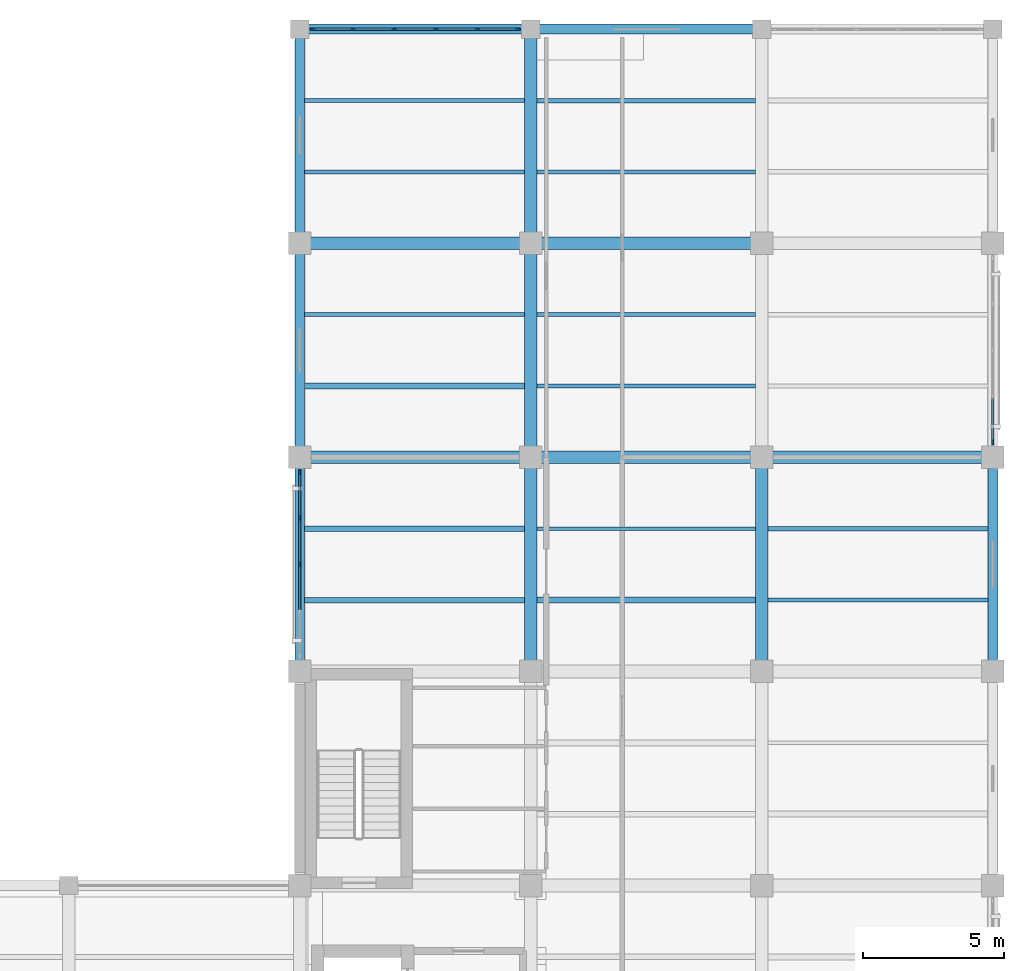
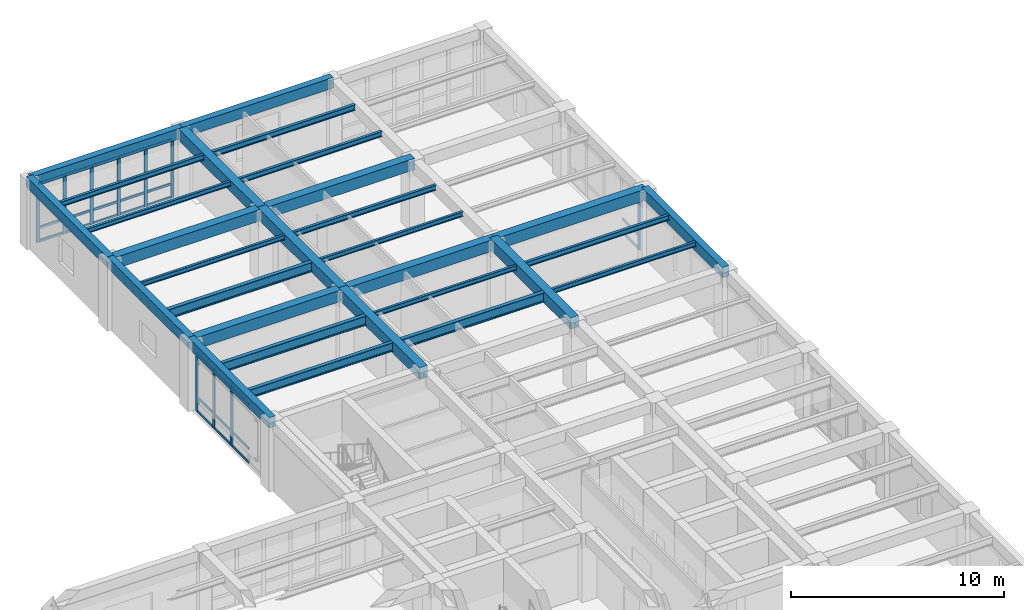
# One storey, part 4 of 13: 36 members, 29 beams, 3 elements without a shape of their own.
"""IFC4 building model written with IfcOpenShell, lengths in metres."""

from ifc_helpers import new_model, si_unit, direction, frame, origin, origin_2d, place, context, subcontext, project, spatial, rectangle, i_section, extrude, material, material_profile, profile_set, type_object, element, aggregate, save


model = new_model("IFC4")

# Units and contexts
model_context = context("Model", 3, precision=1e-05, world=origin(), true_north=direction((0.0, 1.0)))
body_context = subcontext(model_context, "Body", "Model", "MODEL_VIEW")
ifc_project = project(units=[si_unit("LENGTHUNIT", "METRE"), si_unit("AREAUNIT", "SQUARE_METRE"), si_unit("VOLUMEUNIT", "CUBIC_METRE"), si_unit("PLANEANGLEUNIT", "RADIAN"), si_unit("MASSUNIT", "GRAM", prefix="KILO")], contexts=[model_context])

# Site, building, storey
site_placement = place(None, origin())
site = spatial("IfcSite", under=ifc_project, at=site_placement, CompositionType="ELEMENT")
building_placement = place(site_placement, origin())
building = spatial("IfcBuilding", under=site, at=building_placement, Name="Qandaris Square Conservatory and Botanical Centre", CompositionType="ELEMENT")
storey_placement = place(building_placement, frame((0.0, 0.0, 45.0)))
storey = spatial("IfcBuildingStorey", under=building, at=storey_placement, Name="L10", CompositionType="ELEMENT", Elevation=45.0)

# Beams
ifc_material_1 = material(Name="Steel S355", Category="steel")
ifc_material_profile_1 = material_profile(ifc_material_1, i_section(OverallWidth=0.199951171875, OverallDepth=0.5, WebThickness=0.01025390625, FlangeThickness=0.01611328125, FilletRadius=0.02099609375, at=origin_2d()), Name="IPE 500")
ifc_profile_set_1 = profile_set([ifc_material_profile_1], Name="Steel S355")
beam_type_1 = type_object("IfcBeamType", Name="Composite Gallery Joist IPE 500", PredefinedType="JOIST", material=ifc_profile_set_1)
beam_1_placement = place(storey_placement, frame((139.375, 49.533203125, 3.68994140625), z_axis=(1.0, 0.0, 0.0), x_axis=(0.0, 1.0, 0.0)))
element("IfcBeam", 1, at=beam_1_placement, inside=storey, type_object=beam_type_1, Name="L10 Composite Joist 2512", PredefinedType="JOIST", context=body_context, shape_type="SweptSolid", body=[
    extrude(i_section(OverallWidth=0.199951171875, OverallDepth=0.5, WebThickness=0.01025390625, FlangeThickness=0.01611328125, FilletRadius=0.02099609375, at=origin_2d()), origin(), (0.0, 0.0, 1.0), 7.800048828125),
])
ifc_material_profile_2 = material_profile(ifc_material_1, i_section(OverallWidth=0.14990234375, OverallDepth=0.300048828125, WebThickness=0.007080078125, FlangeThickness=0.0107421875, FilletRadius=0.014892578125, at=origin_2d()), Name="IPE 300")
ifc_profile_set_2 = profile_set([ifc_material_profile_2], Name="Steel S355")
beam_type_2 = type_object("IfcBeamType", Name="Composite Lab Joist IPE 300", PredefinedType="JOIST", material=ifc_profile_set_2)
beam_2_placement = place(storey_placement, frame((139.375, 67.2666015625, 3.7900390625), z_axis=(1.0, 0.0, 0.0), x_axis=(0.0, 1.0, 0.0)))
element("IfcBeam", 2, at=beam_2_placement, inside=storey, type_object=beam_type_2, Name="L10 Composite Joist 2517", PredefinedType="JOIST", context=body_context, shape_type="SweptSolid", body=[
    extrude(i_section(OverallWidth=0.14990234375, OverallDepth=0.300048828125, WebThickness=0.007080078125, FlangeThickness=0.0107421875, FilletRadius=0.014892578125, at=origin_2d()), origin(), (0.0, 0.0, 1.0), 7.800048828125),
])
for number, where, z_axis, x_axis, name in (
    (3, (147.625, 59.666748046875, 3.7900390625), (1.0, 0.0, 0.0), (0.0, 1.0, 0.0), "L10 Composite Joist 2526"),
    (4, (147.625, 64.7333984375, 3.7900390625), (1.0, 0.0, 0.0), (0.0, 1.0, 0.0), "L10 Composite Joist 2527"),
):
    element("IfcBeam", number, at=place(storey_placement, frame(where, z_axis=z_axis, x_axis=x_axis)), inside=storey, type_object=beam_type_2, Name=name, PredefinedType="JOIST", context=body_context, shape_type="SweptSolid", body=[
        extrude(i_section(OverallWidth=0.14990234375, OverallDepth=0.300048828125, WebThickness=0.007080078125, FlangeThickness=0.0107421875, FilletRadius=0.014892578125, at=origin_2d()), origin(), (0.0, 0.0, 1.0), 7.75),
    ])
beam_3_placement = place(storey_placement, frame((155.824951171875, 52.066650390625, 3.7900390625), z_axis=(1.0, 0.0, 0.0), x_axis=(0.0, 1.0, 0.0)))
element("IfcBeam", 5, at=beam_3_placement, inside=storey, type_object=beam_type_2, Name="L10 Composite Joist 2538", PredefinedType="JOIST", context=body_context, shape_type="SweptSolid", body=[
    extrude(i_section(OverallWidth=0.14990234375, OverallDepth=0.300048828125, WebThickness=0.007080078125, FlangeThickness=0.0107421875, FilletRadius=0.014892578125, at=origin_2d()), origin(), (0.0, 0.0, 1.0), 7.800048828125),
])
ifc_material_profile_3 = material_profile(ifc_material_1, i_section(OverallWidth=0.159912109375, OverallDepth=0.330078125, WebThickness=0.007568359375, FlangeThickness=0.011474609375, FilletRadius=0.01806640625, at=origin_2d()), Name="IPE 330")
ifc_profile_set_3 = profile_set([ifc_material_profile_3], Name="Steel S355")
beam_type_3 = type_object("IfcBeamType", Name="Composite Lab Joist IPE 330", PredefinedType="JOIST", material=ifc_profile_set_3)
beam_4_placement = place(storey_placement, frame((147.625, 67.2666015625, 3.77490234375), z_axis=(1.0, 0.0, 0.0), x_axis=(0.0, 1.0, 0.0)))
element("IfcBeam", 6, at=beam_4_placement, inside=storey, type_object=beam_type_3, Name="L10 Composite Joist 2528", PredefinedType="JOIST", context=body_context, shape_type="SweptSolid", body=[
    extrude(i_section(OverallWidth=0.159912109375, OverallDepth=0.330078125, WebThickness=0.007568359375, FlangeThickness=0.011474609375, FilletRadius=0.01806640625, at=origin_2d()), origin(), (0.0, 0.0, 1.0), 7.75),
])

# Curtain wall, member
ifc_material_2 = material(Name="Anodised Aluminium", Category="aluminium")
curtain_wall_type_1 = type_object("IfcCurtainWallType", Name="Unitised Curtain Wall CW-4-660x335", PredefinedType="USERDEFINED", material=ifc_material_2)
curtain_wall_1_placement = place(storey_placement, origin())
curtain_wall_1 = element("IfcCurtainWall", 7, at=curtain_wall_1_placement, inside=storey, type_object=curtain_wall_type_1, Name="Curtain Wall CW-TWR-L10-2-6", ObjectType="GLAZED CURTAIN WALL", PredefinedType="USERDEFINED")
ifc_material_profile_4 = material_profile(ifc_material_2, rectangle(XDim=0.06494140625, YDim=0.179931640625, at=origin_2d()), Name="ALU-MUL 65x180")
ifc_profile_set_4 = profile_set([ifc_material_profile_4], Name="Anodised Aluminium")
member_type_1 = type_object("IfcMemberType", Name="Curtain Wall Mullion 65x180", PredefinedType="MULLION", material=ifc_profile_set_4)
member_1_placement = place(storey_placement, frame((163.800048828125, 55.132568359375, 0.0), z_axis=(0.0, 0.0, 1.0), x_axis=(-1.0, 0.0, 0.0)))
member_1 = element("IfcMember", 8, at=member_1_placement, type_object=member_type_1, Name="CW-4-660x335 mullion 1", PredefinedType="MULLION", context=body_context, shape_type="SweptSolid", body=[
    extrude(rectangle(XDim=0.06494140625, YDim=0.179931640625, at=origin_2d()), origin(), (0.0, 0.0, 1.0), 3.35009765625),
])

# Curtain wall, members
curtain_wall_type_2 = type_object("IfcCurtainWallType", Name="Unitised Curtain Wall CW-3-735x335", PredefinedType="USERDEFINED", material=ifc_material_2)
curtain_wall_2_placement = place(storey_placement, origin())
curtain_wall_2 = element("IfcCurtainWall", 9, at=curtain_wall_2_placement, inside=storey, type_object=curtain_wall_type_2, Name="Curtain Wall CW-TWR-L10-3-3", ObjectType="GLAZED CURTAIN WALL", PredefinedType="USERDEFINED")
member_2_placement = place(storey_placement, frame((146.9423828125, 69.800048828125, 0.0), z_axis=(0.0, 0.0, 1.0), x_axis=(0.0, -1.0, 0.0)))
member_2 = element("IfcMember", 10, at=member_2_placement, type_object=member_type_1, Name="CW-3-735x335 mullion 1", PredefinedType="MULLION", context=body_context, shape_type="SweptSolid", body=[
    extrude(rectangle(XDim=0.06494140625, YDim=0.179931640625, at=origin_2d()), origin(), (0.0, 0.0, 1.0), 3.35009765625),
])
member_3_placement = place(storey_placement, frame((145.5048828125, 69.800048828125, 0.0), z_axis=(0.0, 0.0, 1.0), x_axis=(0.0, -1.0, 0.0)))
member_3 = element("IfcMember", 11, at=member_3_placement, type_object=member_type_1, Name="CW-3-735x335 mullion 2", PredefinedType="MULLION", context=body_context, shape_type="SweptSolid", body=[
    extrude(rectangle(XDim=0.06494140625, YDim=0.179931640625, at=origin_2d()), origin(), (0.0, 0.0, 1.0), 3.35009765625),
])
member_4_placement = place(storey_placement, frame((144.034912109375, 69.800048828125, 0.0), z_axis=(0.0, 0.0, 1.0), x_axis=(0.0, -1.0, 0.0)))
member_4 = element("IfcMember", 12, at=member_4_placement, type_object=member_type_1, Name="CW-3-735x335 mullion 3", PredefinedType="MULLION", context=body_context, shape_type="SweptSolid", body=[
    extrude(rectangle(XDim=0.06494140625, YDim=0.179931640625, at=origin_2d()), origin(), (0.0, 0.0, 1.0), 3.35009765625),
])
member_5_placement = place(storey_placement, frame((142.56494140625, 69.800048828125, 0.0), z_axis=(0.0, 0.0, 1.0), x_axis=(0.0, -1.0, 0.0)))
member_5 = element("IfcMember", 13, at=member_5_placement, type_object=member_type_1, Name="CW-3-735x335 mullion 4", PredefinedType="MULLION", context=body_context, shape_type="SweptSolid", body=[
    extrude(rectangle(XDim=0.06494140625, YDim=0.179931640625, at=origin_2d()), origin(), (0.0, 0.0, 1.0), 3.35009765625),
])
member_6_placement = place(storey_placement, frame((141.094970703125, 69.800048828125, 0.0), z_axis=(0.0, 0.0, 1.0), x_axis=(0.0, -1.0, 0.0)))
member_6 = element("IfcMember", 14, at=member_6_placement, type_object=member_type_1, Name="CW-3-735x335 mullion 5", PredefinedType="MULLION", context=body_context, shape_type="SweptSolid", body=[
    extrude(rectangle(XDim=0.06494140625, YDim=0.179931640625, at=origin_2d()), origin(), (0.0, 0.0, 1.0), 3.35009765625),
])
member_7_placement = place(storey_placement, frame((139.657470703125, 69.800048828125, 0.0), z_axis=(0.0, 0.0, 1.0), x_axis=(0.0, -1.0, 0.0)))
member_7 = element("IfcMember", 15, at=member_7_placement, type_object=member_type_1, Name="CW-3-735x335 mullion 6", PredefinedType="MULLION", context=body_context, shape_type="SweptSolid", body=[
    extrude(rectangle(XDim=0.06494140625, YDim=0.179931640625, at=origin_2d()), origin(), (0.0, 0.0, 1.0), 3.35009765625),
])

curtain_wall_3_placement = place(storey_placement, origin())
curtain_wall_3 = element("IfcCurtainWall", 16, at=curtain_wall_3_placement, inside=storey, type_object=curtain_wall_type_1, Name="Curtain Wall CW-TWR-L10-4-3", ObjectType="GLAZED CURTAIN WALL", PredefinedType="USERDEFINED")
member_8_placement = place(storey_placement, frame((139.199951171875, 54.0673828125, 0.0), z_axis=(0.0, 0.0, 1.0), x_axis=(1.0, 0.0, 0.0)))
member_8 = element("IfcMember", 17, at=member_8_placement, type_object=member_type_1, Name="CW-4-660x335 mullion 1", PredefinedType="MULLION", context=body_context, shape_type="SweptSolid", body=[
    extrude(rectangle(XDim=0.06494140625, YDim=0.179931640625, at=origin_2d()), origin(), (0.0, 0.0, 1.0), 3.35009765625),
])
member_9_placement = place(storey_placement, frame((139.199951171875, 52.449951171875, 0.0), z_axis=(0.0, 0.0, 1.0), x_axis=(1.0, 0.0, 0.0)))
member_9 = element("IfcMember", 18, at=member_9_placement, type_object=member_type_1, Name="CW-4-660x335 mullion 2", PredefinedType="MULLION", context=body_context, shape_type="SweptSolid", body=[
    extrude(rectangle(XDim=0.06494140625, YDim=0.179931640625, at=origin_2d()), origin(), (0.0, 0.0, 1.0), 3.35009765625),
])
member_10_placement = place(storey_placement, frame((139.199951171875, 50.800048828125, 0.0), z_axis=(0.0, 0.0, 1.0), x_axis=(1.0, 0.0, 0.0)))
member_10 = element("IfcMember", 19, at=member_10_placement, type_object=member_type_1, Name="CW-4-660x335 mullion 3", PredefinedType="MULLION", context=body_context, shape_type="SweptSolid", body=[
    extrude(rectangle(XDim=0.06494140625, YDim=0.179931640625, at=origin_2d()), origin(), (0.0, 0.0, 1.0), 3.35009765625),
])

# Member
ifc_material_profile_5 = material_profile(ifc_material_2, rectangle(XDim=0.06494140625, YDim=0.139892578125, at=origin_2d()), Name="ALU-TRN 65x140")
ifc_profile_set_5 = profile_set([ifc_material_profile_5], Name="Anodised Aluminium")
member_type_2 = type_object("IfcMemberType", Name="Curtain Wall Transom 65x140", PredefinedType="USERDEFINED", material=ifc_profile_set_5)
member_11_placement = place(storey_placement, frame((163.800048828125, 55.1650390625, 0.032470703125), z_axis=(0.0, 1.0, 0.0), x_axis=(-1.0, 0.0, 0.0)))
member_11 = element("IfcMember", 20, at=member_11_placement, type_object=member_type_2, Name="CW-4-660x335 transom 1.1", ObjectType="TRANSOM", PredefinedType="USERDEFINED", context=body_context, shape_type="SweptSolid", body=[
    extrude(rectangle(XDim=0.06494140625, YDim=0.139892578125, at=origin_2d()), origin(), (0.0, 0.0, 1.0), 1.552490234375),
])

member_12_placement = place(storey_placement, frame((163.800048828125, 55.1650390625, 0.803955078125), z_axis=(0.0, 1.0, 0.0), x_axis=(-1.0, 0.0, 0.0)))
member_12 = element("IfcMember", 21, at=member_12_placement, type_object=member_type_2, Name="CW-4-660x335 transom 1.2", ObjectType="TRANSOM", PredefinedType="USERDEFINED", context=body_context, shape_type="SweptSolid", body=[
    extrude(rectangle(XDim=0.06494140625, YDim=0.139892578125, at=origin_2d()), origin(), (0.0, 0.0, 1.0), 1.552490234375),
])

aggregate(curtain_wall_1, [member_1, member_11, member_12])

member_13_placement = place(storey_placement, frame((146.909912109375, 69.800048828125, 0.032470703125), z_axis=(-1.0, 0.0, 0.0), x_axis=(0.0, -1.0, 0.0)))
member_13 = element("IfcMember", 22, at=member_13_placement, type_object=member_type_2, Name="CW-3-735x335 transom 1.1", ObjectType="TRANSOM", PredefinedType="USERDEFINED", context=body_context, shape_type="SweptSolid", body=[
    extrude(rectangle(XDim=0.06494140625, YDim=0.139892578125, at=origin_2d()), origin(), (0.0, 0.0, 1.0), 1.372314453125),
])

member_14_placement = place(storey_placement, frame((146.909912109375, 69.800048828125, 0.803955078125), z_axis=(-1.0, 0.0, 0.0), x_axis=(0.0, -1.0, 0.0)))
member_14 = element("IfcMember", 23, at=member_14_placement, type_object=member_type_2, Name="CW-3-735x335 transom 1.2", ObjectType="TRANSOM", PredefinedType="USERDEFINED", context=body_context, shape_type="SweptSolid", body=[
    extrude(rectangle(XDim=0.06494140625, YDim=0.139892578125, at=origin_2d()), origin(), (0.0, 0.0, 1.0), 1.372314453125),
])

member_15_placement = place(storey_placement, frame((146.909912109375, 69.800048828125, 3.3173828125), z_axis=(-1.0, 0.0, 0.0), x_axis=(0.0, -1.0, 0.0)))
member_15 = element("IfcMember", 24, at=member_15_placement, type_object=member_type_2, Name="CW-3-735x335 transom 1.3", ObjectType="TRANSOM", PredefinedType="USERDEFINED", context=body_context, shape_type="SweptSolid", body=[
    extrude(rectangle(XDim=0.06494140625, YDim=0.139892578125, at=origin_2d()), origin(), (0.0, 0.0, 1.0), 1.372314453125),
])

member_16_placement = place(storey_placement, frame((145.472412109375, 69.800048828125, 0.032470703125), z_axis=(-1.0, 0.0, 0.0), x_axis=(0.0, -1.0, 0.0)))
member_16 = element("IfcMember", 25, at=member_16_placement, type_object=member_type_2, Name="CW-3-735x335 transom 2.1", ObjectType="TRANSOM", PredefinedType="USERDEFINED", context=body_context, shape_type="SweptSolid", body=[
    extrude(rectangle(XDim=0.06494140625, YDim=0.139892578125, at=origin_2d()), origin(), (0.0, 0.0, 1.0), 1.405029296875),
])

member_17_placement = place(storey_placement, frame((145.472412109375, 69.800048828125, 0.803955078125), z_axis=(-1.0, 0.0, 0.0), x_axis=(0.0, -1.0, 0.0)))
member_17 = element("IfcMember", 26, at=member_17_placement, type_object=member_type_2, Name="CW-3-735x335 transom 2.2", ObjectType="TRANSOM", PredefinedType="USERDEFINED", context=body_context, shape_type="SweptSolid", body=[
    extrude(rectangle(XDim=0.06494140625, YDim=0.139892578125, at=origin_2d()), origin(), (0.0, 0.0, 1.0), 1.405029296875),
])

member_18_placement = place(storey_placement, frame((145.472412109375, 69.800048828125, 3.3173828125), z_axis=(-1.0, 0.0, 0.0), x_axis=(0.0, -1.0, 0.0)))
member_18 = element("IfcMember", 27, at=member_18_placement, type_object=member_type_2, Name="CW-3-735x335 transom 2.3", ObjectType="TRANSOM", PredefinedType="USERDEFINED", context=body_context, shape_type="SweptSolid", body=[
    extrude(rectangle(XDim=0.06494140625, YDim=0.139892578125, at=origin_2d()), origin(), (0.0, 0.0, 1.0), 1.405029296875),
])

member_19_placement = place(storey_placement, frame((144.00244140625, 69.800048828125, 0.032470703125), z_axis=(-1.0, 0.0, 0.0), x_axis=(0.0, -1.0, 0.0)))
member_19 = element("IfcMember", 28, at=member_19_placement, type_object=member_type_2, Name="CW-3-735x335 transom 3.1", ObjectType="TRANSOM", PredefinedType="USERDEFINED", context=body_context, shape_type="SweptSolid", body=[
    extrude(rectangle(XDim=0.06494140625, YDim=0.139892578125, at=origin_2d()), origin(), (0.0, 0.0, 1.0), 1.405029296875),
])

member_20_placement = place(storey_placement, frame((144.00244140625, 69.800048828125, 0.803955078125), z_axis=(-1.0, 0.0, 0.0), x_axis=(0.0, -1.0, 0.0)))
member_20 = element("IfcMember", 29, at=member_20_placement, type_object=member_type_2, Name="CW-3-735x335 transom 3.2", ObjectType="TRANSOM", PredefinedType="USERDEFINED", context=body_context, shape_type="SweptSolid", body=[
    extrude(rectangle(XDim=0.06494140625, YDim=0.139892578125, at=origin_2d()), origin(), (0.0, 0.0, 1.0), 1.405029296875),
])

member_21_placement = place(storey_placement, frame((144.00244140625, 69.800048828125, 3.3173828125), z_axis=(-1.0, 0.0, 0.0), x_axis=(0.0, -1.0, 0.0)))
member_21 = element("IfcMember", 30, at=member_21_placement, type_object=member_type_2, Name="CW-3-735x335 transom 3.3", ObjectType="TRANSOM", PredefinedType="USERDEFINED", context=body_context, shape_type="SweptSolid", body=[
    extrude(rectangle(XDim=0.06494140625, YDim=0.139892578125, at=origin_2d()), origin(), (0.0, 0.0, 1.0), 1.405029296875),
])

member_22_placement = place(storey_placement, frame((142.532470703125, 69.800048828125, 0.032470703125), z_axis=(-1.0, 0.0, 0.0), x_axis=(0.0, -1.0, 0.0)))
member_22 = element("IfcMember", 31, at=member_22_placement, type_object=member_type_2, Name="CW-3-735x335 transom 4.1", ObjectType="TRANSOM", PredefinedType="USERDEFINED", context=body_context, shape_type="SweptSolid", body=[
    extrude(rectangle(XDim=0.06494140625, YDim=0.139892578125, at=origin_2d()), origin(), (0.0, 0.0, 1.0), 1.405029296875),
])

member_23_placement = place(storey_placement, frame((142.532470703125, 69.800048828125, 0.803955078125), z_axis=(-1.0, 0.0, 0.0), x_axis=(0.0, -1.0, 0.0)))
member_23 = element("IfcMember", 32, at=member_23_placement, type_object=member_type_2, Name="CW-3-735x335 transom 4.2", ObjectType="TRANSOM", PredefinedType="USERDEFINED", context=body_context, shape_type="SweptSolid", body=[
    extrude(rectangle(XDim=0.06494140625, YDim=0.139892578125, at=origin_2d()), origin(), (0.0, 0.0, 1.0), 1.405029296875),
])

member_24_placement = place(storey_placement, frame((142.532470703125, 69.800048828125, 3.3173828125), z_axis=(-1.0, 0.0, 0.0), x_axis=(0.0, -1.0, 0.0)))
member_24 = element("IfcMember", 33, at=member_24_placement, type_object=member_type_2, Name="CW-3-735x335 transom 4.3", ObjectType="TRANSOM", PredefinedType="USERDEFINED", context=body_context, shape_type="SweptSolid", body=[
    extrude(rectangle(XDim=0.06494140625, YDim=0.139892578125, at=origin_2d()), origin(), (0.0, 0.0, 1.0), 1.405029296875),
])

member_25_placement = place(storey_placement, frame((141.0625, 69.800048828125, 0.032470703125), z_axis=(-1.0, 0.0, 0.0), x_axis=(0.0, -1.0, 0.0)))
member_25 = element("IfcMember", 34, at=member_25_placement, type_object=member_type_2, Name="CW-3-735x335 transom 5.1", ObjectType="TRANSOM", PredefinedType="USERDEFINED", context=body_context, shape_type="SweptSolid", body=[
    extrude(rectangle(XDim=0.06494140625, YDim=0.139892578125, at=origin_2d()), origin(), (0.0, 0.0, 1.0), 1.37255859375),
])

member_26_placement = place(storey_placement, frame((141.0625, 69.800048828125, 0.803955078125), z_axis=(-1.0, 0.0, 0.0), x_axis=(0.0, -1.0, 0.0)))
member_26 = element("IfcMember", 35, at=member_26_placement, type_object=member_type_2, Name="CW-3-735x335 transom 5.2", ObjectType="TRANSOM", PredefinedType="USERDEFINED", context=body_context, shape_type="SweptSolid", body=[
    extrude(rectangle(XDim=0.06494140625, YDim=0.139892578125, at=origin_2d()), origin(), (0.0, 0.0, 1.0), 1.37255859375),
])

member_27_placement = place(storey_placement, frame((141.0625, 69.800048828125, 3.3173828125), z_axis=(-1.0, 0.0, 0.0), x_axis=(0.0, -1.0, 0.0)))
member_27 = element("IfcMember", 36, at=member_27_placement, type_object=member_type_2, Name="CW-3-735x335 transom 5.3", ObjectType="TRANSOM", PredefinedType="USERDEFINED", context=body_context, shape_type="SweptSolid", body=[
    extrude(rectangle(XDim=0.06494140625, YDim=0.139892578125, at=origin_2d()), origin(), (0.0, 0.0, 1.0), 1.37255859375),
])

aggregate(curtain_wall_2, [member_2, member_3, member_4, member_5, member_6, member_7, member_13, member_14, member_15, member_16, member_17, member_18, member_19, member_20, member_21, member_22, member_23, member_24, member_25, member_26, member_27])

member_28_placement = place(storey_placement, frame((139.199951171875, 54.034912109375, 0.032470703125), z_axis=(0.0, -1.0, 0.0), x_axis=(1.0, 0.0, 0.0)))
member_28 = element("IfcMember", 37, at=member_28_placement, type_object=member_type_2, Name="CW-4-660x335 transom 1.1", ObjectType="TRANSOM", PredefinedType="USERDEFINED", context=body_context, shape_type="SweptSolid", body=[
    extrude(rectangle(XDim=0.06494140625, YDim=0.139892578125, at=origin_2d()), origin(), (0.0, 0.0, 1.0), 1.552490234375),
])

member_29_placement = place(storey_placement, frame((139.199951171875, 54.034912109375, 0.803955078125), z_axis=(0.0, -1.0, 0.0), x_axis=(1.0, 0.0, 0.0)))
member_29 = element("IfcMember", 38, at=member_29_placement, type_object=member_type_2, Name="CW-4-660x335 transom 1.2", ObjectType="TRANSOM", PredefinedType="USERDEFINED", context=body_context, shape_type="SweptSolid", body=[
    extrude(rectangle(XDim=0.06494140625, YDim=0.139892578125, at=origin_2d()), origin(), (0.0, 0.0, 1.0), 1.552490234375),
])

member_30_placement = place(storey_placement, frame((139.199951171875, 54.034912109375, 3.3173828125), z_axis=(0.0, -1.0, 0.0), x_axis=(1.0, 0.0, 0.0)))
member_30 = element("IfcMember", 39, at=member_30_placement, type_object=member_type_2, Name="CW-4-660x335 transom 1.3", ObjectType="TRANSOM", PredefinedType="USERDEFINED", context=body_context, shape_type="SweptSolid", body=[
    extrude(rectangle(XDim=0.06494140625, YDim=0.139892578125, at=origin_2d()), origin(), (0.0, 0.0, 1.0), 1.552490234375),
])

member_31_placement = place(storey_placement, frame((139.199951171875, 52.41748046875, 0.032470703125), z_axis=(0.0, -1.0, 0.0), x_axis=(1.0, 0.0, 0.0)))
member_31 = element("IfcMember", 40, at=member_31_placement, type_object=member_type_2, Name="CW-4-660x335 transom 2.1", ObjectType="TRANSOM", PredefinedType="USERDEFINED", context=body_context, shape_type="SweptSolid", body=[
    extrude(rectangle(XDim=0.06494140625, YDim=0.139892578125, at=origin_2d()), origin(), (0.0, 0.0, 1.0), 1.5849609375),
])

member_32_placement = place(storey_placement, frame((139.199951171875, 52.41748046875, 0.803955078125), z_axis=(0.0, -1.0, 0.0), x_axis=(1.0, 0.0, 0.0)))
member_32 = element("IfcMember", 41, at=member_32_placement, type_object=member_type_2, Name="CW-4-660x335 transom 2.2", ObjectType="TRANSOM", PredefinedType="USERDEFINED", context=body_context, shape_type="SweptSolid", body=[
    extrude(rectangle(XDim=0.06494140625, YDim=0.139892578125, at=origin_2d()), origin(), (0.0, 0.0, 1.0), 1.5849609375),
])

member_33_placement = place(storey_placement, frame((139.199951171875, 52.41748046875, 3.3173828125), z_axis=(0.0, -1.0, 0.0), x_axis=(1.0, 0.0, 0.0)))
member_33 = element("IfcMember", 42, at=member_33_placement, type_object=member_type_2, Name="CW-4-660x335 transom 2.3", ObjectType="TRANSOM", PredefinedType="USERDEFINED", context=body_context, shape_type="SweptSolid", body=[
    extrude(rectangle(XDim=0.06494140625, YDim=0.139892578125, at=origin_2d()), origin(), (0.0, 0.0, 1.0), 1.5849609375),
])

member_34_placement = place(storey_placement, frame((139.199951171875, 50.767578125, 0.032470703125), z_axis=(0.0, -1.0, 0.0), x_axis=(1.0, 0.0, 0.0)))
member_34 = element("IfcMember", 43, at=member_34_placement, type_object=member_type_2, Name="CW-4-660x335 transom 3.1", ObjectType="TRANSOM", PredefinedType="USERDEFINED", context=body_context, shape_type="SweptSolid", body=[
    extrude(rectangle(XDim=0.06494140625, YDim=0.139892578125, at=origin_2d()), origin(), (0.0, 0.0, 1.0), 1.5849609375),
])

member_35_placement = place(storey_placement, frame((139.199951171875, 50.767578125, 0.803955078125), z_axis=(0.0, -1.0, 0.0), x_axis=(1.0, 0.0, 0.0)))
member_35 = element("IfcMember", 44, at=member_35_placement, type_object=member_type_2, Name="CW-4-660x335 transom 3.2", ObjectType="TRANSOM", PredefinedType="USERDEFINED", context=body_context, shape_type="SweptSolid", body=[
    extrude(rectangle(XDim=0.06494140625, YDim=0.139892578125, at=origin_2d()), origin(), (0.0, 0.0, 1.0), 1.5849609375),
])

member_36_placement = place(storey_placement, frame((139.199951171875, 50.767578125, 3.3173828125), z_axis=(0.0, -1.0, 0.0), x_axis=(1.0, 0.0, 0.0)))
member_36 = element("IfcMember", 45, at=member_36_placement, type_object=member_type_2, Name="CW-4-660x335 transom 3.3", ObjectType="TRANSOM", PredefinedType="USERDEFINED", context=body_context, shape_type="SweptSolid", body=[
    extrude(rectangle(XDim=0.06494140625, YDim=0.139892578125, at=origin_2d()), origin(), (0.0, 0.0, 1.0), 1.5849609375),
])

aggregate(curtain_wall_3, [member_8, member_9, member_10, member_28, member_29, member_30, member_31, member_32, member_33, member_34, member_35, member_36])

# Beams
ifc_material_profile_6 = material_profile(ifc_material_1, i_section(OverallWidth=0.2099609375, OverallDepth=0.550048828125, WebThickness=0.010986328125, FlangeThickness=0.01708984375, FilletRadius=0.02392578125, at=origin_2d()), Name="IPE 550")
ifc_profile_set_6 = profile_set([ifc_material_profile_6], Name="Steel S355")
beam_type_4 = type_object("IfcBeamType", Name="Long-Span Foyer Joist IPE 550", PredefinedType="JOIST", material=ifc_profile_set_6)
for number, where, z_axis, x_axis, name in (
    (46, (139.375, 52.066650390625, 3.6650390625), (1.0, 0.0, 0.0), (0.0, 1.0, 0.0), "L10 Composite Joist 2513"),
    (47, (139.375, 57.13330078125, 3.6650390625), (1.0, 0.0, 0.0), (0.0, 1.0, 0.0), "L10 Composite Joist 2514"),
):
    element("IfcBeam", number, at=place(storey_placement, frame(where, z_axis=z_axis, x_axis=x_axis)), inside=storey, type_object=beam_type_4, Name=name, PredefinedType="JOIST", context=body_context, shape_type="SweptSolid", body=[
        extrude(i_section(OverallWidth=0.2099609375, OverallDepth=0.550048828125, WebThickness=0.010986328125, FlangeThickness=0.01708984375, FilletRadius=0.02392578125, at=origin_2d()), origin(), (0.0, 0.0, 1.0), 7.800048828125),
    ])
beam_5_placement = place(storey_placement, frame((147.625, 49.533203125, 3.6650390625), z_axis=(1.0, 0.0, 0.0), x_axis=(0.0, 1.0, 0.0)))
element("IfcBeam", 48, at=beam_5_placement, inside=storey, type_object=beam_type_4, Name="L10 Composite Joist 2523", PredefinedType="JOIST", context=body_context, shape_type="SweptSolid", body=[
    extrude(i_section(OverallWidth=0.2099609375, OverallDepth=0.550048828125, WebThickness=0.010986328125, FlangeThickness=0.01708984375, FilletRadius=0.02392578125, at=origin_2d()), origin(), (0.0, 0.0, 1.0), 7.75),
])
ifc_material_3 = material(Name="Concrete C50/60", Category="concrete")
ifc_material_profile_7 = material_profile(ifc_material_3, rectangle(XDim=0.35009765625, YDim=0.60009765625, at=origin_2d()), Name="RC-SP 350x600")
ifc_profile_set_7 = profile_set([ifc_material_profile_7], Name="Concrete C50/60")
beam_type_5 = type_object("IfcBeamType", Name="RC Edge Spandrel Beam 350x600", PredefinedType="SPANDREL", material=ifc_profile_set_7)
beam_6_placement = place(storey_placement, frame((139.199951171875, 69.800048828125, 3.64990234375), z_axis=(1.0, 0.0, 0.0), x_axis=(0.0, 1.0, 0.0)))
element("IfcBeam", 49, at=beam_6_placement, inside=storey, type_object=beam_type_5, Name="L10 Frame Beam 2460", PredefinedType="SPANDREL", context=body_context, shape_type="SweptSolid", body=[
    extrude(rectangle(XDim=0.35009765625, YDim=0.60009765625, at=origin_2d()), origin(), (0.0, 0.0, 1.0), 8.199951171875),
])
beam_7_placement = place(storey_placement, frame((147.39990234375, 69.800048828125, 3.64990234375), z_axis=(1.0, 0.0, 0.0), x_axis=(0.0, 1.0, 0.0)))
element("IfcBeam", 50, at=beam_7_placement, inside=storey, type_object=beam_type_5, Name="L10 Frame Beam 2461", PredefinedType="SPANDREL", context=body_context, shape_type="SweptSolid", body=[
    extrude(rectangle(XDim=0.35009765625, YDim=0.60009765625, at=origin_2d()), origin(), (0.0, 0.0, 1.0), 8.2001953125),
])
beam_8_placement = place(storey_placement, frame((139.199951171875, 47.0, 3.64990234375), z_axis=(0.0, 1.0, 0.0), x_axis=(-1.0, 0.0, 0.0)))
element("IfcBeam", 51, at=beam_8_placement, inside=storey, type_object=beam_type_5, Name="L10 Frame Beam 2473", PredefinedType="SPANDREL", context=body_context, shape_type="SweptSolid", body=[
    extrude(rectangle(XDim=0.35009765625, YDim=0.60009765625, at=origin_2d()), origin(), (0.0, 0.0, 1.0), 7.60009765625),
])
beam_9_placement = place(storey_placement, frame((139.199951171875, 54.60009765625, 3.64990234375), z_axis=(0.0, 1.0, 0.0), x_axis=(-1.0, 0.0, 0.0)))
element("IfcBeam", 52, at=beam_9_placement, inside=storey, type_object=beam_type_5, Name="L10 Frame Beam 2474", PredefinedType="SPANDREL", context=body_context, shape_type="SweptSolid", body=[
    extrude(rectangle(XDim=0.35009765625, YDim=0.60009765625, at=origin_2d()), origin(), (0.0, 0.0, 1.0), 7.599853515625),
])
for number, where, z_axis, x_axis, name in (
    (53, (139.199951171875, 62.199951171875, 3.64990234375), (0.0, 1.0, 0.0), (-1.0, 0.0, 0.0), "L10 Frame Beam 2475"),
    (54, (163.800048828125, 47.0, 3.64990234375), (0.0, 1.0, 0.0), (-1.0, 0.0, 0.0), "L10 Frame Beam 2494"),
):
    element("IfcBeam", number, at=place(storey_placement, frame(where, z_axis=z_axis, x_axis=x_axis)), inside=storey, type_object=beam_type_5, Name=name, PredefinedType="SPANDREL", context=body_context, shape_type="SweptSolid", body=[
        extrude(rectangle(XDim=0.35009765625, YDim=0.60009765625, at=origin_2d()), origin(), (0.0, 0.0, 1.0), 7.60009765625),
    ])
ifc_material_profile_8 = material_profile(ifc_material_3, rectangle(XDim=0.449951171875, YDim=0.64990234375, at=origin_2d()), Name="RC-BM 450x650")
ifc_profile_set_8 = profile_set([ifc_material_profile_8], Name="Concrete C50/60")
beam_type_6 = type_object("IfcBeamType", Name="RC Floor Girder 450x650", PredefinedType="BEAM", material=ifc_profile_set_8)
beam_10_placement = place(storey_placement, frame((139.199951171875, 54.60009765625, 3.625), z_axis=(1.0, 0.0, 0.0), x_axis=(0.0, 1.0, 0.0)))
element("IfcBeam", 55, at=beam_10_placement, inside=storey, type_object=beam_type_6, Name="L10 Frame Beam 2454", PredefinedType="BEAM", context=body_context, shape_type="SweptSolid", body=[
    extrude(rectangle(XDim=0.449951171875, YDim=0.64990234375, at=origin_2d()), origin(), (0.0, 0.0, 1.0), 8.199951171875),
])
beam_11_placement = place(storey_placement, frame((147.39990234375, 54.60009765625, 3.625), z_axis=(1.0, 0.0, 0.0), x_axis=(0.0, 1.0, 0.0)))
element("IfcBeam", 56, at=beam_11_placement, inside=storey, type_object=beam_type_6, Name="L10 Frame Beam 2455", PredefinedType="BEAM", context=body_context, shape_type="SweptSolid", body=[
    extrude(rectangle(XDim=0.449951171875, YDim=0.64990234375, at=origin_2d()), origin(), (0.0, 0.0, 1.0), 8.2001953125),
])
for number, where, z_axis, x_axis, name in (
    (57, (155.60009765625, 54.60009765625, 3.625), (1.0, 0.0, 0.0), (0.0, 1.0, 0.0), "L10 Frame Beam 2456"),
    (58, (139.199951171875, 62.199951171875, 3.625), (1.0, 0.0, 0.0), (0.0, 1.0, 0.0), "L10 Frame Beam 2457"),
):
    element("IfcBeam", number, at=place(storey_placement, frame(where, z_axis=z_axis, x_axis=x_axis)), inside=storey, type_object=beam_type_6, Name=name, PredefinedType="BEAM", context=body_context, shape_type="SweptSolid", body=[
        extrude(rectangle(XDim=0.449951171875, YDim=0.64990234375, at=origin_2d()), origin(), (0.0, 0.0, 1.0), 8.199951171875),
    ])
beam_12_placement = place(storey_placement, frame((147.39990234375, 62.199951171875, 3.625), z_axis=(1.0, 0.0, 0.0), x_axis=(0.0, 1.0, 0.0)))
element("IfcBeam", 59, at=beam_12_placement, inside=storey, type_object=beam_type_6, Name="L10 Frame Beam 2458", PredefinedType="BEAM", context=body_context, shape_type="SweptSolid", body=[
    extrude(rectangle(XDim=0.449951171875, YDim=0.64990234375, at=origin_2d()), origin(), (0.0, 0.0, 1.0), 8.2001953125),
])
beam_13_placement = place(storey_placement, frame((147.39990234375, 47.0, 3.625), z_axis=(0.0, 1.0, 0.0), x_axis=(-1.0, 0.0, 0.0)))
element("IfcBeam", 60, at=beam_13_placement, inside=storey, type_object=beam_type_6, Name="L10 Frame Beam 2480", PredefinedType="BEAM", context=body_context, shape_type="SweptSolid", body=[
    extrude(rectangle(XDim=0.449951171875, YDim=0.64990234375, at=origin_2d()), origin(), (0.0, 0.0, 1.0), 7.60009765625),
])
beam_14_placement = place(storey_placement, frame((147.39990234375, 54.60009765625, 3.625), z_axis=(0.0, 1.0, 0.0), x_axis=(-1.0, 0.0, 0.0)))
element("IfcBeam", 61, at=beam_14_placement, inside=storey, type_object=beam_type_6, Name="L10 Frame Beam 2481", PredefinedType="BEAM", context=body_context, shape_type="SweptSolid", body=[
    extrude(rectangle(XDim=0.449951171875, YDim=0.64990234375, at=origin_2d()), origin(), (0.0, 0.0, 1.0), 7.599853515625),
])
for number, where, z_axis, x_axis, name in (
    (62, (147.39990234375, 62.199951171875, 3.625), (0.0, 1.0, 0.0), (-1.0, 0.0, 0.0), "L10 Frame Beam 2482"),
    (63, (155.60009765625, 47.0, 3.625), (0.0, 1.0, 0.0), (-1.0, 0.0, 0.0), "L10 Frame Beam 2487"),
):
    element("IfcBeam", number, at=place(storey_placement, frame(where, z_axis=z_axis, x_axis=x_axis)), inside=storey, type_object=beam_type_6, Name=name, PredefinedType="BEAM", context=body_context, shape_type="SweptSolid", body=[
        extrude(rectangle(XDim=0.449951171875, YDim=0.64990234375, at=origin_2d()), origin(), (0.0, 0.0, 1.0), 7.60009765625),
    ])
ifc_material_profile_9 = material_profile(ifc_material_1, i_section(OverallWidth=0.135009765625, OverallDepth=0.27001953125, WebThickness=0.006591796875, FlangeThickness=0.01025390625, FilletRadius=0.014892578125, at=origin_2d()), Name="IPE 270")
ifc_profile_set_9 = profile_set([ifc_material_profile_9], Name="Steel S355")
beam_type_7 = type_object("IfcBeamType", Name="Steel Floor Joist IPE 270", PredefinedType="JOIST", material=ifc_profile_set_9)
for number, where, z_axis, x_axis, name in (
    (64, (139.375, 59.666748046875, 3.804931640625), (1.0, 0.0, 0.0), (0.0, 1.0, 0.0), "L10 Composite Joist 2515"),
    (65, (139.375, 64.7333984375, 3.804931640625), (1.0, 0.0, 0.0), (0.0, 1.0, 0.0), "L10 Composite Joist 2516"),
):
    element("IfcBeam", number, at=place(storey_placement, frame(where, z_axis=z_axis, x_axis=x_axis)), inside=storey, type_object=beam_type_7, Name=name, PredefinedType="JOIST", context=body_context, shape_type="SweptSolid", body=[
        extrude(i_section(OverallWidth=0.135009765625, OverallDepth=0.27001953125, WebThickness=0.006591796875, FlangeThickness=0.01025390625, FilletRadius=0.014892578125, at=origin_2d()), origin(), (0.0, 0.0, 1.0), 7.800048828125),
    ])
for number, where, z_axis, x_axis, name in (
    (66, (147.625, 52.066650390625, 3.804931640625), (1.0, 0.0, 0.0), (0.0, 1.0, 0.0), "L10 Composite Joist 2524"),
    (67, (147.625, 57.13330078125, 3.804931640625), (1.0, 0.0, 0.0), (0.0, 1.0, 0.0), "L10 Composite Joist 2525"),
):
    element("IfcBeam", number, at=place(storey_placement, frame(where, z_axis=z_axis, x_axis=x_axis)), inside=storey, type_object=beam_type_7, Name=name, PredefinedType="JOIST", context=body_context, shape_type="SweptSolid", body=[
        extrude(i_section(OverallWidth=0.135009765625, OverallDepth=0.27001953125, WebThickness=0.006591796875, FlangeThickness=0.01025390625, FilletRadius=0.014892578125, at=origin_2d()), origin(), (0.0, 0.0, 1.0), 7.75),
    ])
beam_15_placement = place(storey_placement, frame((155.824951171875, 49.533203125, 3.804931640625), z_axis=(1.0, 0.0, 0.0), x_axis=(0.0, 1.0, 0.0)))
element("IfcBeam", 68, at=beam_15_placement, inside=storey, type_object=beam_type_7, Name="L10 Composite Joist 2537", PredefinedType="JOIST", context=body_context, shape_type="SweptSolid", body=[
    extrude(i_section(OverallWidth=0.135009765625, OverallDepth=0.27001953125, WebThickness=0.006591796875, FlangeThickness=0.01025390625, FilletRadius=0.014892578125, at=origin_2d()), origin(), (0.0, 0.0, 1.0), 7.800048828125),
])

save(model, "model.ifc")
